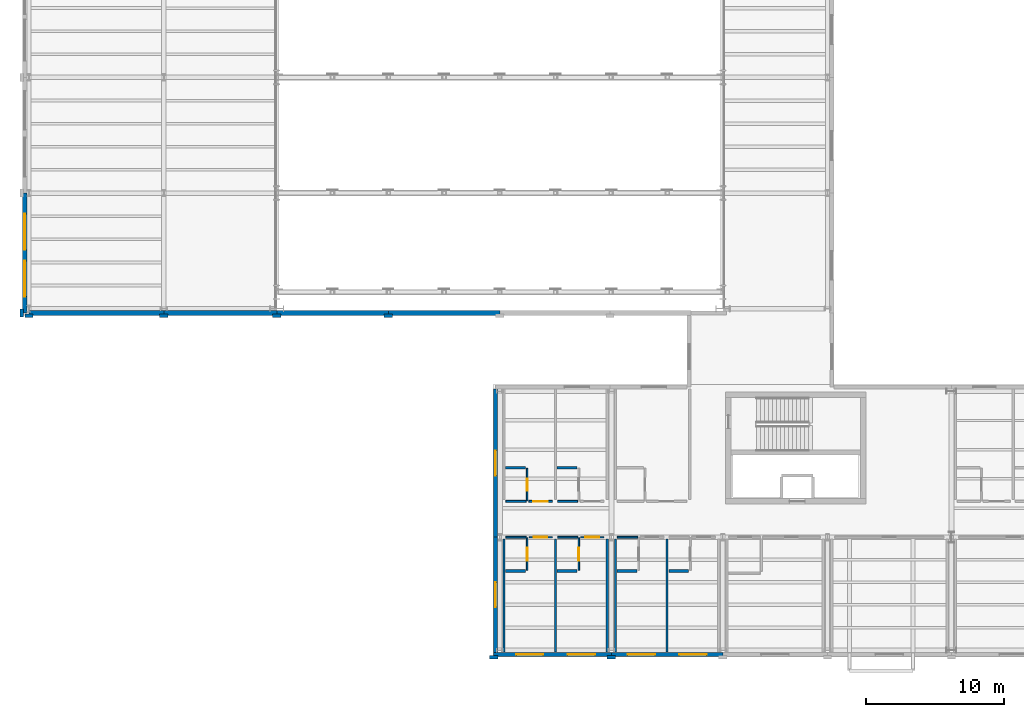
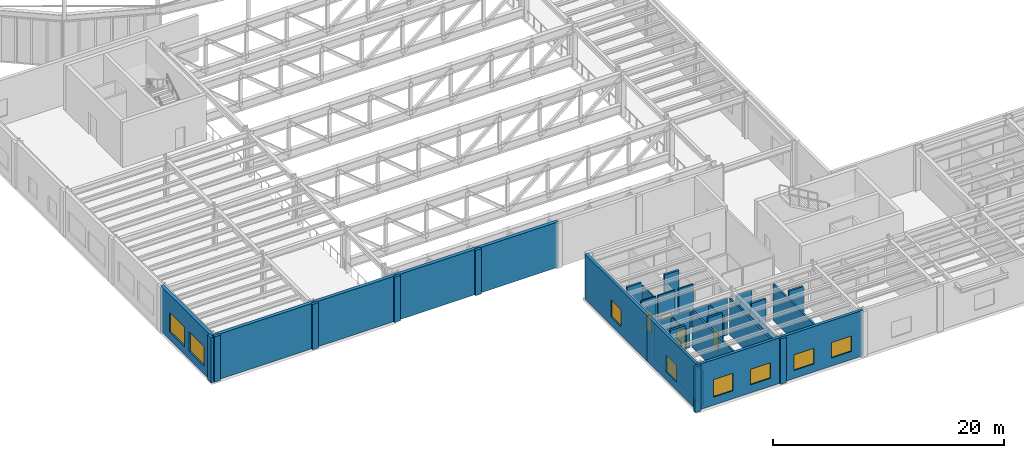
# One storey, part 65 of 91: 38 walls, 8 windows, 6 doors, 14 openings.
"""IFC4 building model written with IfcOpenShell, lengths in metres."""

from ifc_helpers import new_model, si_unit, direction, frame, frame_2d, origin, place, context, subcontext, project, spatial, rectangle, extrude, material, layer, layer_set, type_object, element, fill, save


model = new_model("IFC4")

# Units and contexts
model_context = context("Model", 3, precision=1e-05, world=origin(), true_north=direction((0.0, 1.0)))
body_context = subcontext(model_context, "Body", "Model", "MODEL_VIEW")
ifc_project = project(units=[si_unit("LENGTHUNIT", "METRE"), si_unit("AREAUNIT", "SQUARE_METRE"), si_unit("VOLUMEUNIT", "CUBIC_METRE"), si_unit("PLANEANGLEUNIT", "RADIAN"), si_unit("MASSUNIT", "GRAM", prefix="KILO")], contexts=[model_context])

# Site, building, storey
site_placement = place(None, origin())
site = spatial("IfcSite", under=ifc_project, at=site_placement, CompositionType="ELEMENT")
building_placement = place(site_placement, origin())
building = spatial("IfcBuilding", under=site, at=building_placement, Name="Sollismere Congress Hotel", CompositionType="ELEMENT")
storey_placement = place(building_placement, frame((0.0, 0.0, 10.800048828125)))
storey = spatial("IfcBuildingStorey", under=building, at=storey_placement, Name="L02", CompositionType="ELEMENT", Elevation=10.800048828125)

# Wall, openings, windows
ifc_material_1 = material(Name="Colorado Buff Sandstone Rainscreen on Insulated Backup", Category="masonry")
ifc_layer_1 = layer(ifc_material_1, 0.284912109375, Name="Colorado Buff Sandstone Rainscreen on Insulated Backup")
ifc_layer_set_1 = layer_set([ifc_layer_1], Name="Colorado Buff Sandstone Rainscreen on Insulated Backup")
wall_type_1 = type_object("IfcWallType", Name="WL-EXT285", PredefinedType="STANDARD", material=ifc_layer_set_1)
wall_1_placement = place(storey_placement, frame((33.75, -0.31005859375, 0.0), z_axis=(0.0, 0.0, 1.0), x_axis=(1.0, 0.0, 0.0)))
wall_1 = element("IfcWall", 1, at=wall_1_placement, inside=storey, type_object=wall_type_1, Name="Exterior wall EW-L02-326", PredefinedType="STANDARD", context=body_context, shape_type="SweptSolid", body=[
    extrude(rectangle(XDim=8.550048828125, YDim=0.284912109375, at=frame_2d((4.27490234375, 0.0))), origin(), (0.0, 0.0, 1.0), 4.800048828125),
])
opening_1_placement = place(wall_1_placement, frame((1.64990234375, 0.0, 0.85009765625)))
opening_1 = element("IfcOpeningElement", 2, at=opening_1_placement, cuts=wall_1, Name="Opening W-L02-262", PredefinedType="OPENING", context=body_context, shape_type="SweptSolid", body=[
    extrude(rectangle(XDim=1.949951171875, YDim=1.85009765625, at=frame_2d((0.97509765625, 0.925048828125))), frame((0.0, 0.15234375, 0.0), z_axis=(0.0, -1.0, 0.0), x_axis=(1.0, 0.0, 0.0)), (0.0, 0.0, 1.0), 0.304931640625),
])
opening_2_placement = place(wall_1_placement, frame((5.375, 0.0, 0.85009765625)))
opening_2 = element("IfcOpeningElement", 3, at=opening_2_placement, cuts=wall_1, Name="Opening W-L02-263", PredefinedType="OPENING", context=body_context, shape_type="SweptSolid", body=[
    extrude(rectangle(XDim=2.0, YDim=1.64990234375, at=frame_2d((1.0, 0.824951171875))), frame((0.0, 0.15234375, 0.0), z_axis=(0.0, -1.0, 0.0), x_axis=(1.0, 0.0, 0.0)), (0.0, 0.0, 1.0), 0.304931640625),
])
ifc_material_2 = material(Name="Thermally Broken Bronze Aluminum & Low-E Glass", Category="aluminium")
window_type_1 = type_object("IfcWindowType", Name="WN-P195x185", PartitioningType="SINGLE_PANEL", PredefinedType="WINDOW", material=ifc_material_2)
window_1_placement = place(opening_1_placement, origin())
window_1 = element("IfcWindow", 4, at=window_1_placement, inside=storey, type_object=window_type_1, Name="WIN-W-L02-262", OverallHeight=1.85009765625, OverallWidth=1.949951171875, PartitioningType="SINGLE_PANEL", PredefinedType="WINDOW", context=body_context, shape_type="SweptSolid", body=[
    extrude(rectangle(XDim=1.949951171875, YDim=1.85009765625, at=frame_2d((0.97509765625, 0.925048828125))), frame((0.0, 0.030029296875, 0.0), z_axis=(0.0, -1.0, 0.0), x_axis=(1.0, 0.0, 0.0)), (0.0, 0.0, 1.0), 0.06005859375),
])
fill(opening_1, window_1)
window_type_2 = type_object("IfcWindowType", Name="WN-P200x165", PartitioningType="SINGLE_PANEL", PredefinedType="WINDOW", material=ifc_material_2)
window_2_placement = place(opening_2_placement, origin())
window_2 = element("IfcWindow", 5, at=window_2_placement, inside=storey, type_object=window_type_2, Name="WIN-W-L02-263", OverallHeight=1.64990234375, OverallWidth=2.0, PartitioningType="SINGLE_PANEL", PredefinedType="WINDOW", context=body_context, shape_type="SweptSolid", body=[
    extrude(rectangle(XDim=2.0, YDim=1.64990234375, at=frame_2d((1.0, 0.824951171875))), frame((0.0, 0.030029296875, 0.0), z_axis=(0.0, -1.0, 0.0), x_axis=(1.0, 0.0, 0.0)), (0.0, 0.0, 1.0), 0.06005859375),
])
fill(opening_2, window_2)

wall_2_placement = place(storey_placement, frame((42.300048828125, -0.31005859375, 0.0), z_axis=(0.0, 0.0, 1.0), x_axis=(1.0, 0.0, 0.0)))
wall_2 = element("IfcWall", 6, at=wall_2_placement, inside=storey, type_object=wall_type_1, Name="Exterior wall EW-L02-328", PredefinedType="STANDARD", context=body_context, shape_type="SweptSolid", body=[
    extrude(rectangle(XDim=8.099853515625, YDim=0.284912109375, at=frame_2d((4.0498046875, 0.0))), origin(), (0.0, 0.0, 1.0), 4.800048828125),
])
opening_3_placement = place(wall_2_placement, frame((1.175048828125, 0.0, 0.85009765625)))
opening_3 = element("IfcOpeningElement", 7, at=opening_3_placement, cuts=wall_2, Name="Opening W-L02-264", PredefinedType="OPENING", context=body_context, shape_type="SweptSolid", body=[
    extrude(rectangle(XDim=2.0, YDim=1.64990234375, at=frame_2d((1.0, 0.824951171875))), frame((0.0, 0.15234375, 0.0), z_axis=(0.0, -1.0, 0.0), x_axis=(1.0, 0.0, 0.0)), (0.0, 0.0, 1.0), 0.304931640625),
])
opening_4_placement = place(wall_2_placement, frame((4.925048828125, 0.0, 0.85009765625)))
opening_4 = element("IfcOpeningElement", 8, at=opening_4_placement, cuts=wall_2, Name="Opening W-L02-265", PredefinedType="OPENING", context=body_context, shape_type="SweptSolid", body=[
    extrude(rectangle(XDim=2.0, YDim=1.64990234375, at=frame_2d((1.0, 0.824951171875))), frame((0.0, 0.15234375, 0.0), z_axis=(0.0, -1.0, 0.0), x_axis=(1.0, 0.0, 0.0)), (0.0, 0.0, 1.0), 0.304931640625),
])
window_3_placement = place(opening_3_placement, origin())
window_3 = element("IfcWindow", 9, at=window_3_placement, inside=storey, type_object=window_type_2, Name="WIN-W-L02-264", OverallHeight=1.64990234375, OverallWidth=2.0, PartitioningType="SINGLE_PANEL", PredefinedType="WINDOW", context=body_context, shape_type="SweptSolid", body=[
    extrude(rectangle(XDim=2.0, YDim=1.64990234375, at=frame_2d((1.0, 0.824951171875))), frame((0.0, 0.030029296875, 0.0), z_axis=(0.0, -1.0, 0.0), x_axis=(1.0, 0.0, 0.0)), (0.0, 0.0, 1.0), 0.06005859375),
])
fill(opening_3, window_3)
window_4_placement = place(opening_4_placement, origin())
window_4 = element("IfcWindow", 10, at=window_4_placement, inside=storey, type_object=window_type_2, Name="WIN-W-L02-265", OverallHeight=1.64990234375, OverallWidth=2.0, PartitioningType="SINGLE_PANEL", PredefinedType="WINDOW", context=body_context, shape_type="SweptSolid", body=[
    extrude(rectangle(XDim=2.0, YDim=1.64990234375, at=frame_2d((1.0, 0.824951171875))), frame((0.0, 0.030029296875, 0.0), z_axis=(0.0, -1.0, 0.0), x_axis=(1.0, 0.0, 0.0)), (0.0, 0.0, 1.0), 0.06005859375),
])
fill(opening_4, window_4)

# Wall, opening, window
wall_3_placement = place(storey_placement, frame((33.889892578125, 8.199951171875, 0.0), z_axis=(0.0, 0.0, 1.0), x_axis=(0.0, -1.0, 0.0)))
wall_3 = element("IfcWall", 11, at=wall_3_placement, inside=storey, type_object=wall_type_1, Name="Exterior wall EW-L02-387", PredefinedType="STANDARD", context=body_context, shape_type="SweptSolid", body=[
    extrude(rectangle(XDim=8.365478515625, YDim=0.284912109375, at=frame_2d((4.1826171875, 0.0))), origin(), (0.0, 0.0, 1.0), 4.800048828125),
])
opening_5_placement = place(wall_3_placement, frame((3.28271484375, 0.0, 0.8798828125)))
opening_5 = element("IfcOpeningElement", 12, at=opening_5_placement, cuts=wall_3, Name="Opening W-L02-305", PredefinedType="OPENING", context=body_context, shape_type="SweptSolid", body=[
    extrude(rectangle(XDim=1.800048828125, YDim=1.800048828125, at=frame_2d((0.89990234375, 0.89990234375))), frame((0.0, 0.15234375, 0.0), z_axis=(0.0, -1.0, 0.0), x_axis=(1.0, 0.0, 0.0)), (0.0, 0.0, 1.0), 0.304931640625),
])
window_type_3 = type_object("IfcWindowType", Name="WN-P180x180", PartitioningType="SINGLE_PANEL", PredefinedType="WINDOW", material=ifc_material_2)
window_5_placement = place(opening_5_placement, origin())
window_5 = element("IfcWindow", 13, at=window_5_placement, inside=storey, type_object=window_type_3, Name="WIN-W-L02-305", OverallHeight=1.800048828125, OverallWidth=1.800048828125, PartitioningType="SINGLE_PANEL", PredefinedType="WINDOW", context=body_context, shape_type="SweptSolid", body=[
    extrude(rectangle(XDim=1.800048828125, YDim=1.800048828125, at=frame_2d((0.89990234375, 0.89990234375))), frame((0.0, 0.030029296875, 0.0), z_axis=(0.0, -1.0, 0.0), x_axis=(1.0, 0.0, 0.0)), (0.0, 0.0, 1.0), 0.06005859375),
])
fill(opening_5, window_5)

wall_4_placement = place(storey_placement, frame((33.889892578125, 18.965576171875, 0.0), z_axis=(0.0, 0.0, 1.0), x_axis=(0.0, -1.0, 0.0)))
wall_4 = element("IfcWall", 14, at=wall_4_placement, inside=storey, type_object=wall_type_1, Name="Exterior wall EW-L02-388", PredefinedType="STANDARD", context=body_context, shape_type="SweptSolid", body=[
    extrude(rectangle(XDim=10.765625, YDim=0.284912109375, at=frame_2d((5.3828125, 0.0))), origin(), (0.0, 0.0, 1.0), 4.800048828125),
])
opening_6_placement = place(wall_4_placement, frame((4.482666015625, 0.0, 0.8798828125)))
opening_6 = element("IfcOpeningElement", 15, at=opening_6_placement, cuts=wall_4, Name="Opening W-L02-306", PredefinedType="OPENING", context=body_context, shape_type="SweptSolid", body=[
    extrude(rectangle(XDim=1.800048828125, YDim=1.800048828125, at=frame_2d((0.89990234375, 0.89990234375))), frame((0.0, 0.15234375, 0.0), z_axis=(0.0, -1.0, 0.0), x_axis=(1.0, 0.0, 0.0)), (0.0, 0.0, 1.0), 0.304931640625),
])
window_6_placement = place(opening_6_placement, origin())
window_6 = element("IfcWindow", 16, at=window_6_placement, inside=storey, type_object=window_type_3, Name="WIN-W-L02-306", OverallHeight=1.800048828125, OverallWidth=1.800048828125, PartitioningType="SINGLE_PANEL", PredefinedType="WINDOW", context=body_context, shape_type="SweptSolid", body=[
    extrude(rectangle(XDim=1.800048828125, YDim=1.800048828125, at=frame_2d((0.89990234375, 0.89990234375))), frame((0.0, 0.030029296875, 0.0), z_axis=(0.0, -1.0, 0.0), x_axis=(1.0, 0.0, 0.0)), (0.0, 0.0, 1.0), 0.06005859375),
])
fill(opening_6, window_6)

# Wall, openings, windows
ifc_material_3 = material(Name="Colorado Buff Sandstone and Limestone Backup C40/50", Category="masonry")
ifc_layer_2 = layer(ifc_material_3, 0.340087890625, Name="Colorado Buff Sandstone and Limestone Backup C40/50")
ifc_layer_set_2 = layer_set([ifc_layer_2], Name="Colorado Buff Sandstone and Limestone Backup C40/50")
wall_type_2 = type_object("IfcWallType", Name="WL-EXT340", PredefinedType="STANDARD", material=ifc_layer_set_2)
wall_5_placement = place(storey_placement, frame((-0.31005859375, 24.47998046875, 0.0), z_axis=(0.0, 0.0, 1.0), x_axis=(0.0, 1.0, 0.0)))
wall_5 = element("IfcWall", 17, at=wall_5_placement, inside=storey, type_object=wall_type_2, Name="Exterior wall EW-L02-145", PredefinedType="STANDARD", context=body_context, shape_type="SweptSolid", body=[
    extrude(rectangle(XDim=8.719970703125, YDim=0.340087890625, at=frame_2d((4.35986328125, 0.0))), origin(), (0.0, 0.0, 1.0), 4.800048828125),
])
opening_7_placement = place(wall_5_placement, frame((1.199951171875, 0.0, 0.85009765625)))
opening_7 = element("IfcOpeningElement", 18, at=opening_7_placement, cuts=wall_5, Name="Opening W-L02-128", PredefinedType="OPENING", context=body_context, shape_type="SweptSolid", body=[
    extrude(rectangle(XDim=2.60009765625, YDim=2.050048828125, at=frame_2d((1.300048828125, 1.02490234375))), frame((0.0, 0.179931640625, 0.0), z_axis=(0.0, -1.0, 0.0), x_axis=(1.0, 0.0, 0.0)), (0.0, 0.0, 1.0), 0.360107421875),
])
opening_8_placement = place(wall_5_placement, frame((4.60009765625, 0.0, 0.85009765625)))
opening_8 = element("IfcOpeningElement", 19, at=opening_8_placement, cuts=wall_5, Name="Opening W-L02-129", PredefinedType="OPENING", context=body_context, shape_type="SweptSolid", body=[
    extrude(rectangle(XDim=2.60009765625, YDim=2.050048828125, at=frame_2d((1.300048828125, 1.02490234375))), frame((0.0, 0.179931640625, 0.0), z_axis=(0.0, -1.0, 0.0), x_axis=(1.0, 0.0, 0.0)), (0.0, 0.0, 1.0), 0.360107421875),
])
window_type_4 = type_object("IfcWindowType", Name="WN-P260x205", PartitioningType="SINGLE_PANEL", PredefinedType="WINDOW", material=ifc_material_2)
window_7_placement = place(opening_7_placement, origin())
window_7 = element("IfcWindow", 20, at=window_7_placement, inside=storey, type_object=window_type_4, Name="WIN-W-L02-128", OverallHeight=2.050048828125, OverallWidth=2.60009765625, PartitioningType="SINGLE_PANEL", PredefinedType="WINDOW", context=body_context, shape_type="SweptSolid", body=[
    extrude(rectangle(XDim=2.60009765625, YDim=2.050048828125, at=frame_2d((1.300048828125, 1.02490234375))), frame((0.0, 0.030029296875, 0.0), z_axis=(0.0, -1.0, 0.0), x_axis=(1.0, 0.0, 0.0)), (0.0, 0.0, 1.0), 0.06005859375),
])
fill(opening_7, window_7)
window_8_placement = place(opening_8_placement, origin())
window_8 = element("IfcWindow", 21, at=window_8_placement, inside=storey, type_object=window_type_4, Name="WIN-W-L02-129", OverallHeight=2.050048828125, OverallWidth=2.60009765625, PartitioningType="SINGLE_PANEL", PredefinedType="WINDOW", context=body_context, shape_type="SweptSolid", body=[
    extrude(rectangle(XDim=2.60009765625, YDim=2.050048828125, at=frame_2d((1.300048828125, 1.02490234375))), frame((0.0, 0.030029296875, 0.0), z_axis=(0.0, -1.0, 0.0), x_axis=(1.0, 0.0, 0.0)), (0.0, 0.0, 1.0), 0.06005859375),
])
fill(opening_8, window_8)

# Walls
wall_6_placement = place(storey_placement, frame((0.0, 24.489990234375, 0.0), z_axis=(0.0, 0.0, 1.0), x_axis=(1.0, 0.0, 0.0)))
element("IfcWall", 22, at=wall_6_placement, inside=storey, type_object=wall_type_2, Name="Exterior wall EW-L02-155", PredefinedType="STANDARD", context=body_context, shape_type="SweptSolid", body=[
    extrude(rectangle(XDim=9.800048828125, YDim=0.340087890625, at=frame_2d((4.89990234375, 0.0))), origin(), (0.0, 0.0, 1.0), 4.800048828125),
])
wall_7_placement = place(storey_placement, frame((9.800048828125, 24.489990234375, 0.0), z_axis=(0.0, 0.0, 1.0), x_axis=(1.0, 0.0, 0.0)))
element("IfcWall", 23, at=wall_7_placement, inside=storey, type_object=wall_type_2, Name="Exterior wall EW-L02-157", PredefinedType="STANDARD", context=body_context, shape_type="SweptSolid", body=[
    extrude(rectangle(XDim=8.199951171875, YDim=0.340087890625, at=frame_2d((4.10009765625, 0.0))), origin(), (0.0, 0.0, 1.0), 4.800048828125),
])
wall_8_placement = place(storey_placement, frame((18.0, 24.489990234375, 0.0), z_axis=(0.0, 0.0, 1.0), x_axis=(1.0, 0.0, 0.0)))
element("IfcWall", 24, at=wall_8_placement, inside=storey, type_object=wall_type_2, Name="Exterior wall EW-L02-159", PredefinedType="STANDARD", context=body_context, shape_type="SweptSolid", body=[
    extrude(rectangle(XDim=8.10009765625, YDim=0.340087890625, at=frame_2d((4.050048828125, 0.0))), origin(), (0.0, 0.0, 1.0), 4.800048828125),
])
wall_9_placement = place(storey_placement, frame((26.10009765625, 24.489990234375, 0.0), z_axis=(0.0, 0.0, 1.0), x_axis=(1.0, 0.0, 0.0)))
element("IfcWall", 25, at=wall_9_placement, inside=storey, type_object=wall_type_2, Name="Exterior wall EW-L02-161", PredefinedType="STANDARD", context=body_context, shape_type="SweptSolid", body=[
    extrude(rectangle(XDim=8.099853515625, YDim=0.340087890625, at=frame_2d((4.0498046875, 0.0))), origin(), (0.0, 0.0, 1.0), 4.800048828125),
])
ifc_material_4 = material(Name="Carved Travertine Pilaster & Frieze Assembly", Category="masonry")
ifc_layer_3 = layer(ifc_material_4, 0.260009765625, Name="Carved Travertine Pilaster & Frieze Assembly")
ifc_layer_set_3 = layer_set([ifc_layer_3], Name="Carved Travertine Pilaster & Frieze Assembly")
wall_type_3 = type_object("IfcWallType", Name="WL-PIL280", PredefinedType="ELEMENTEDWALL", material=ifc_layer_set_3)
for number, where, z_axis, x_axis, name in (
    (26, (-0.52001953125, 24.179931640625, 0.0), (0.0, 0.0, 1.0), (0.0, 1.0, 0.0), "Exterior wall EW-L02-146"),
    (27, (-0.300048828125, 24.280029296875, 0.0), (0.0, 0.0, 1.0), (1.0, 0.0, 0.0), "Exterior wall EW-L02-156"),
    (28, (9.5, 24.280029296875, 0.0), (0.0, 0.0, 1.0), (1.0, 0.0, 0.0), "Exterior wall EW-L02-158"),
    (29, (17.699951171875, 24.280029296875, 0.0), (0.0, 0.0, 1.0), (1.0, 0.0, 0.0), "Exterior wall EW-L02-160"),
):
    element("IfcWall", number, at=place(storey_placement, frame(where, z_axis=z_axis, x_axis=x_axis)), inside=storey, type_object=wall_type_3, Name=name, PredefinedType="ELEMENTEDWALL", context=body_context, shape_type="SweptSolid", body=[
        extrude(rectangle(XDim=0.60009765625, YDim=0.260009765625, at=frame_2d((0.300048828125, 0.0))), origin(), (0.0, 0.0, 1.0), 4.800048828125),
    ])
wall_10_placement = place(storey_placement, frame((25.800048828125, 24.280029296875, 0.0), z_axis=(0.0, 0.0, 1.0), x_axis=(1.0, 0.0, 0.0)))
element("IfcWall", 30, at=wall_10_placement, inside=storey, type_object=wall_type_3, Name="Exterior wall EW-L02-162", PredefinedType="ELEMENTEDWALL", context=body_context, shape_type="SweptSolid", body=[
    extrude(rectangle(XDim=0.599853515625, YDim=0.260009765625, at=frame_2d((0.2998046875, 0.0))), origin(), (0.0, 0.0, 1.0), 4.800048828125),
])
for number, where, z_axis, x_axis, name in (
    (31, (33.449951171875, -0.52001953125, 0.0), (0.0, 0.0, 1.0), (1.0, 0.0, 0.0), "Exterior wall EW-L02-327"),
    (32, (42.0, -0.52001953125, 0.0), (0.0, 0.0, 1.0), (1.0, 0.0, 0.0), "Exterior wall EW-L02-329"),
):
    element("IfcWall", number, at=place(storey_placement, frame(where, z_axis=z_axis, x_axis=x_axis)), inside=storey, type_object=wall_type_3, Name=name, PredefinedType="ELEMENTEDWALL", context=body_context, shape_type="SweptSolid", body=[
        extrude(rectangle(XDim=0.60009765625, YDim=0.260009765625, at=frame_2d((0.300048828125, 0.0))), origin(), (0.0, 0.0, 1.0), 4.800048828125),
    ])
ifc_material_5 = material(Name="Moisture-Resistant Shaft Gypsum Assembly")
ifc_layer_4 = layer(ifc_material_5, 0.199951171875, Name="Moisture-Resistant Shaft Gypsum Assembly")
ifc_layer_set_4 = layer_set([ifc_layer_4], Name="Moisture-Resistant Shaft Gypsum Assembly")
wall_type_4 = type_object("IfcWallType", Name="WL-PLM200", PredefinedType="PLUMBINGWALL", material=ifc_layer_set_4)
for number, where, z_axis, x_axis, name in (
    (33, (34.6201171875, 5.75, 0.0), (0.0, 0.0, 1.0), (1.0, 0.0, 0.0), "Interior wall IW-L02-0976"),
    (34, (38.3701171875, 5.75, 0.0), (0.0, 0.0, 1.0), (1.0, 0.0, 0.0), "Interior wall IW-L02-0981"),
    (35, (34.6201171875, 13.25, 0.0), (0.0, 0.0, 1.0), (1.0, 0.0, 0.0), "Interior wall IW-L02-0987"),
    (36, (38.3701171875, 13.25, 0.0), (0.0, 0.0, 1.0), (1.0, 0.0, 0.0), "Interior wall IW-L02-0992"),
    (37, (42.719970703125, 5.75, 0.0), (0.0, 0.0, 1.0), (1.0, 0.0, 0.0), "Interior wall IW-L02-0998"),
    (38, (46.469970703125, 5.75, 0.0), (0.0, 0.0, 1.0), (1.0, 0.0, 0.0), "Interior wall IW-L02-1003"),
):
    element("IfcWall", number, at=place(storey_placement, frame(where, z_axis=z_axis, x_axis=x_axis)), inside=storey, type_object=wall_type_4, Name=name, PredefinedType="PLUMBINGWALL", context=body_context, shape_type="SweptSolid", body=[
        extrude(rectangle(XDim=1.447998046875, YDim=0.199951171875, at=frame_2d((0.72412109375, 0.0))), origin(), (0.0, 0.0, 1.0), 4.474853515625),
    ])

# Wall, opening, door
ifc_material_6 = material(Name="Moisture-Resistant Gypsum Partition")
ifc_layer_5 = layer(ifc_material_6, 0.10009765625, Name="Moisture-Resistant Gypsum Partition")
ifc_layer_set_5 = layer_set([ifc_layer_5], Name="Moisture-Resistant Gypsum Partition")
wall_type_5 = type_object("IfcWallType", Name="WL-PRT100", PredefinedType="PARTITIONING", material=ifc_layer_set_5)
wall_11_placement = place(storey_placement, frame((36.18798828125, 5.7900390625, 0.0), z_axis=(0.0, 0.0, 1.0), x_axis=(0.0, 1.0, 0.0)))
wall_11 = element("IfcWall", 39, at=wall_11_placement, inside=storey, type_object=wall_type_5, Name="Interior wall IW-L02-0975", PredefinedType="PARTITIONING", context=body_context, shape_type="SweptSolid", body=[
    extrude(rectangle(XDim=2.369873046875, YDim=0.10009765625, at=frame_2d((1.18505859375, 0.0))), origin(), (0.0, 0.0, 1.0), 3.887939453125),
])
opening_9_placement = place(wall_11_placement, frame((0.719970703125, 0.0, 0.0)))
opening_9 = element("IfcOpeningElement", 40, at=opening_9_placement, cuts=wall_11, Name="Opening D-L02-0344", PredefinedType="OPENING", context=body_context, shape_type="SweptSolid", body=[
    extrude(rectangle(XDim=0.929931640625, YDim=2.139892578125, at=frame_2d((0.46484375, 1.06982421875))), frame((0.0, 0.06005859375, 0.0), z_axis=(0.0, -1.0, 0.0), x_axis=(1.0, 0.0, 0.0)), (0.0, 0.0, 1.0), 0.1201171875),
])
ifc_material_7 = material(Name="Moisture-Sealed Timber Bathroom Door", Category="wood")
door_type_1 = type_object("IfcDoorType", Name="DR-BT03", OperationType="NOTDEFINED", PredefinedType="DOOR", material=ifc_material_7)
door_1_placement = place(opening_9_placement, origin())
door_1 = element("IfcDoor", 41, at=door_1_placement, inside=storey, type_object=door_type_1, Name="En-suite bathroom door D-L02-0344", OperationType="SINGLE_SWING_LEFT", OverallHeight=2.139892578125, OverallWidth=0.929931640625, PredefinedType="DOOR", context=body_context, shape_type="SweptSolid", body=[
    extrude(rectangle(XDim=0.929931640625, YDim=2.139892578125, at=frame_2d((0.46484375, 1.06982421875))), frame((0.0, 0.02490234375, 0.0), z_axis=(0.0, -1.0, 0.0), x_axis=(1.0, 0.0, 0.0)), (0.0, 0.0, 1.0), 0.050048828125),
])
fill(opening_9, door_1)

wall_12_placement = place(storey_placement, frame((39.93798828125, 5.7900390625, 0.0), z_axis=(0.0, 0.0, 1.0), x_axis=(0.0, 1.0, 0.0)))
wall_12 = element("IfcWall", 42, at=wall_12_placement, inside=storey, type_object=wall_type_5, Name="Interior wall IW-L02-0980", PredefinedType="PARTITIONING", context=body_context, shape_type="SweptSolid", body=[
    extrude(rectangle(XDim=2.369873046875, YDim=0.10009765625, at=frame_2d((1.18505859375, 0.0))), origin(), (0.0, 0.0, 1.0), 3.887939453125),
])
opening_10_placement = place(wall_12_placement, frame((0.7080078125, 0.0, 0.0)))
opening_10 = element("IfcOpeningElement", 43, at=opening_10_placement, cuts=wall_12, Name="Opening D-L02-0346", PredefinedType="OPENING", context=body_context, shape_type="SweptSolid", body=[
    extrude(rectangle(XDim=0.955078125, YDim=2.139892578125, at=frame_2d((0.4775390625, 1.06982421875))), frame((0.0, 0.06005859375, 0.0), z_axis=(0.0, -1.0, 0.0), x_axis=(1.0, 0.0, 0.0)), (0.0, 0.0, 1.0), 0.1201171875),
])
door_type_2 = type_object("IfcDoorType", Name="DR-BT04", OperationType="NOTDEFINED", PredefinedType="DOOR", material=ifc_material_7)
door_2_placement = place(opening_10_placement, origin())
door_2 = element("IfcDoor", 44, at=door_2_placement, inside=storey, type_object=door_type_2, Name="En-suite bathroom door D-L02-0346", OperationType="SINGLE_SWING_LEFT", OverallHeight=2.139892578125, OverallWidth=0.955078125, PredefinedType="DOOR", context=body_context, shape_type="SweptSolid", body=[
    extrude(rectangle(XDim=0.955078125, YDim=2.139892578125, at=frame_2d((0.4775390625, 1.06982421875))), frame((0.0, 0.02490234375, 0.0), z_axis=(0.0, -1.0, 0.0), x_axis=(1.0, 0.0, 0.0)), (0.0, 0.0, 1.0), 0.050048828125),
])
fill(opening_10, door_2)

wall_13_placement = place(storey_placement, frame((36.18798828125, 10.840087890625, 0.0), z_axis=(0.0, 0.0, 1.0), x_axis=(0.0, 1.0, 0.0)))
wall_13 = element("IfcWall", 45, at=wall_13_placement, inside=storey, type_object=wall_type_5, Name="Interior wall IW-L02-0986", PredefinedType="PARTITIONING", context=body_context, shape_type="SweptSolid", body=[
    extrude(rectangle(XDim=2.369873046875, YDim=0.10009765625, at=frame_2d((1.18505859375, 0.0))), origin(), (0.0, 0.0, 1.0), 4.14404296875),
])
opening_11_placement = place(wall_13_placement, frame((0.7451171875, 0.0, 0.0)))
opening_11 = element("IfcOpeningElement", 46, at=opening_11_placement, cuts=wall_13, Name="Opening D-L02-0348", PredefinedType="OPENING", context=body_context, shape_type="SweptSolid", body=[
    extrude(rectangle(XDim=0.8798828125, YDim=2.179931640625, at=frame_2d((0.43994140625, 1.08984375))), frame((0.0, 0.06005859375, 0.0), z_axis=(0.0, -1.0, 0.0), x_axis=(1.0, 0.0, 0.0)), (0.0, 0.0, 1.0), 0.1201171875),
])
door_type_3 = type_object("IfcDoorType", Name="DR-BT05", OperationType="NOTDEFINED", PredefinedType="DOOR", material=ifc_material_7)
door_3_placement = place(opening_11_placement, origin())
door_3 = element("IfcDoor", 47, at=door_3_placement, inside=storey, type_object=door_type_3, Name="En-suite bathroom door D-L02-0348", OperationType="SINGLE_SWING_LEFT", OverallHeight=2.179931640625, OverallWidth=0.8798828125, PredefinedType="DOOR", context=body_context, shape_type="SweptSolid", body=[
    extrude(rectangle(XDim=0.8798828125, YDim=2.179931640625, at=frame_2d((0.43994140625, 1.08984375))), frame((0.0, 0.02490234375, 0.0), z_axis=(0.0, -1.0, 0.0), x_axis=(1.0, 0.0, 0.0)), (0.0, 0.0, 1.0), 0.050048828125),
])
fill(opening_11, door_3)

# Wall
ifc_material_8 = material(Name="Fire-Rated Gypsum Partition")
ifc_layer_6 = layer(ifc_material_8, 0.139892578125, Name="Fire-Rated Gypsum Partition")
ifc_layer_set_6 = layer_set([ifc_layer_6], Name="Fire-Rated Gypsum Partition")
wall_type_6 = type_object("IfcWallType", Name="WL-PRT140R", PredefinedType="PARTITIONING", material=ifc_layer_set_6)
wall_14_placement = place(storey_placement, frame((34.639892578125, 8.199951171875, 0.0), z_axis=(0.0, 0.0, 1.0), x_axis=(1.0, 0.0, 0.0)))
element("IfcWall", 48, at=wall_14_placement, inside=storey, type_object=wall_type_6, Name="Interior wall IW-L02-0971", PredefinedType="PARTITIONING", context=body_context, shape_type="SweptSolid", body=[
    extrude(rectangle(XDim=1.468017578125, YDim=0.139892578125, at=frame_2d((0.73388671875, 0.0))), origin(), (0.0, 0.0, 1.0), 3.887939453125),
])

# Wall, opening, door
wall_15_placement = place(storey_placement, frame((36.30810546875, 8.199951171875, 0.0), z_axis=(0.0, 0.0, 1.0), x_axis=(1.0, 0.0, 0.0)))
wall_15 = element("IfcWall", 49, at=wall_15_placement, inside=storey, type_object=wall_type_6, Name="Interior wall IW-L02-0972", PredefinedType="PARTITIONING", context=body_context, shape_type="SweptSolid", body=[
    extrude(rectangle(XDim=1.701904296875, YDim=0.139892578125, at=frame_2d((0.85107421875, 0.0))), origin(), (0.0, 0.0, 1.0), 3.887939453125),
])
opening_12_placement = place(wall_15_placement, frame((0.361083984375, 0.0, 0.0)))
opening_12 = element("IfcOpeningElement", 50, at=opening_12_placement, cuts=wall_15, Name="Opening D-L02-0343", PredefinedType="OPENING", context=body_context, shape_type="SweptSolid", body=[
    extrude(rectangle(XDim=0.97998046875, YDim=2.199951171875, at=frame_2d((0.489990234375, 1.10009765625))), frame((0.0, 0.079833984375, 0.0), z_axis=(0.0, -1.0, 0.0), x_axis=(1.0, 0.0, 0.0)), (0.0, 0.0, 1.0), 0.159912109375),
])
ifc_material_9 = material(Name="Solid-Core Acoustic Walnut Guestroom Entry Door")
door_type_4 = type_object("IfcDoorType", Name="DR-KY03", OperationType="NOTDEFINED", PredefinedType="DOOR", material=ifc_material_9)
door_4_placement = place(opening_12_placement, origin())
door_4 = element("IfcDoor", 51, at=door_4_placement, inside=storey, type_object=door_type_4, Name="Hotel room entry door D-L02-0343", OperationType="SINGLE_SWING_RIGHT", OverallHeight=2.199951171875, OverallWidth=0.97998046875, PredefinedType="DOOR", context=body_context, shape_type="SweptSolid", body=[
    extrude(rectangle(XDim=0.97998046875, YDim=2.199951171875, at=frame_2d((0.489990234375, 1.10009765625))), frame((0.0, 0.02490234375, 0.0), z_axis=(0.0, -1.0, 0.0), x_axis=(1.0, 0.0, 0.0)), (0.0, 0.0, 1.0), 0.050048828125),
])
fill(opening_12, door_4)

# Wall
wall_16_placement = place(storey_placement, frame((38.389892578125, 8.199951171875, 0.0), z_axis=(0.0, 0.0, 1.0), x_axis=(1.0, 0.0, 0.0)))
element("IfcWall", 52, at=wall_16_placement, inside=storey, type_object=wall_type_6, Name="Interior wall IW-L02-0977", PredefinedType="PARTITIONING", context=body_context, shape_type="SweptSolid", body=[
    extrude(rectangle(XDim=1.468017578125, YDim=0.139892578125, at=frame_2d((0.73388671875, 0.0))), origin(), (0.0, 0.0, 1.0), 3.887939453125),
])

# Wall, opening, door
wall_17_placement = place(storey_placement, frame((40.05810546875, 8.199951171875, 0.0), z_axis=(0.0, 0.0, 1.0), x_axis=(1.0, 0.0, 0.0)))
wall_17 = element("IfcWall", 53, at=wall_17_placement, inside=storey, type_object=wall_type_6, Name="Interior wall IW-L02-0978", PredefinedType="PARTITIONING", context=body_context, shape_type="SweptSolid", body=[
    extrude(rectangle(XDim=1.701904296875, YDim=0.139892578125, at=frame_2d((0.85107421875, 0.0))), origin(), (0.0, 0.0, 1.0), 3.887939453125),
])
opening_13_placement = place(wall_17_placement, frame((0.345947265625, 0.0, 0.0)))
opening_13 = element("IfcOpeningElement", 54, at=opening_13_placement, cuts=wall_17, Name="Opening D-L02-0345", PredefinedType="OPENING", context=body_context, shape_type="SweptSolid", body=[
    extrude(rectangle(XDim=1.010009765625, YDim=2.199951171875, at=frame_2d((0.5048828125, 1.10009765625))), frame((0.0, 0.079833984375, 0.0), z_axis=(0.0, -1.0, 0.0), x_axis=(1.0, 0.0, 0.0)), (0.0, 0.0, 1.0), 0.159912109375),
])
door_type_5 = type_object("IfcDoorType", Name="DR-KY04", OperationType="NOTDEFINED", PredefinedType="DOOR", material=ifc_material_9)
door_5_placement = place(opening_13_placement, origin())
door_5 = element("IfcDoor", 55, at=door_5_placement, inside=storey, type_object=door_type_5, Name="Hotel room entry door D-L02-0345", OperationType="SINGLE_SWING_RIGHT", OverallHeight=2.199951171875, OverallWidth=1.010009765625, PredefinedType="DOOR", context=body_context, shape_type="SweptSolid", body=[
    extrude(rectangle(XDim=1.010009765625, YDim=2.199951171875, at=frame_2d((0.5048828125, 1.10009765625))), frame((0.0, 0.02490234375, 0.0), z_axis=(0.0, -1.0, 0.0), x_axis=(1.0, 0.0, 0.0)), (0.0, 0.0, 1.0), 0.050048828125),
])
fill(opening_13, door_5)

# Wall
wall_18_placement = place(storey_placement, frame((34.639892578125, 10.800048828125, 0.0), z_axis=(0.0, 0.0, 1.0), x_axis=(1.0, 0.0, 0.0)))
element("IfcWall", 56, at=wall_18_placement, inside=storey, type_object=wall_type_6, Name="Interior wall IW-L02-0982", PredefinedType="PARTITIONING", context=body_context, shape_type="SweptSolid", body=[
    extrude(rectangle(XDim=1.468017578125, YDim=0.139892578125, at=frame_2d((0.73388671875, 0.0))), origin(), (0.0, 0.0, 1.0), 4.474853515625),
])

# Wall, opening, door
wall_19_placement = place(storey_placement, frame((36.30810546875, 10.800048828125, 0.0), z_axis=(0.0, 0.0, 1.0), x_axis=(1.0, 0.0, 0.0)))
wall_19 = element("IfcWall", 57, at=wall_19_placement, inside=storey, type_object=wall_type_6, Name="Interior wall IW-L02-0983", PredefinedType="PARTITIONING", context=body_context, shape_type="SweptSolid", body=[
    extrude(rectangle(XDim=1.701904296875, YDim=0.139892578125, at=frame_2d((0.85107421875, 0.0))), origin(), (0.0, 0.0, 1.0), 4.474853515625),
])
opening_14_placement = place(wall_19_placement, frame((0.3310546875, 0.0, 0.0)))
opening_14 = element("IfcOpeningElement", 58, at=opening_14_placement, cuts=wall_19, Name="Opening D-L02-0347", PredefinedType="OPENING", context=body_context, shape_type="SweptSolid", body=[
    extrude(rectangle(XDim=1.0400390625, YDim=2.25, at=frame_2d((0.52001953125, 1.125))), frame((0.0, 0.079833984375, 0.0), z_axis=(0.0, -1.0, 0.0), x_axis=(1.0, 0.0, 0.0)), (0.0, 0.0, 1.0), 0.159912109375),
])
door_type_6 = type_object("IfcDoorType", Name="DR-KY05", OperationType="NOTDEFINED", PredefinedType="DOOR", material=ifc_material_9)
door_6_placement = place(opening_14_placement, origin())
door_6 = element("IfcDoor", 59, at=door_6_placement, inside=storey, type_object=door_type_6, Name="Hotel room entry door D-L02-0347", OperationType="SINGLE_SWING_RIGHT", OverallHeight=2.25, OverallWidth=1.0400390625, PredefinedType="DOOR", context=body_context, shape_type="SweptSolid", body=[
    extrude(rectangle(XDim=1.0400390625, YDim=2.25, at=frame_2d((0.52001953125, 1.125))), frame((0.0, 0.02490234375, 0.0), z_axis=(0.0, -1.0, 0.0), x_axis=(1.0, 0.0, 0.0)), (0.0, 0.0, 1.0), 0.050048828125),
])
fill(opening_14, door_6)

# Walls
wall_20_placement = place(storey_placement, frame((38.389892578125, 10.800048828125, 0.0), z_axis=(0.0, 0.0, 1.0), x_axis=(1.0, 0.0, 0.0)))
element("IfcWall", 60, at=wall_20_placement, inside=storey, type_object=wall_type_6, Name="Interior wall IW-L02-0988", PredefinedType="PARTITIONING", context=body_context, shape_type="SweptSolid", body=[
    extrude(rectangle(XDim=1.468017578125, YDim=0.139892578125, at=frame_2d((0.73388671875, 0.0))), origin(), (0.0, 0.0, 1.0), 4.474853515625),
])
wall_21_placement = place(storey_placement, frame((42.739990234375, 8.199951171875, 0.0), z_axis=(0.0, 0.0, 1.0), x_axis=(1.0, 0.0, 0.0)))
element("IfcWall", 61, at=wall_21_placement, inside=storey, type_object=wall_type_6, Name="Interior wall IW-L02-0993", PredefinedType="PARTITIONING", context=body_context, shape_type="SweptSolid", body=[
    extrude(rectangle(XDim=1.468017578125, YDim=0.139892578125, at=frame_2d((0.73388671875, 0.0))), origin(), (0.0, 0.0, 1.0), 3.887939453125),
])
ifc_material_10 = material(Name="Fire-Rated Acoustic Gypsum Partition")
ifc_layer_7 = layer(ifc_material_10, 0.1650390625, Name="Fire-Rated Acoustic Gypsum Partition")
ifc_layer_set_7 = layer_set([ifc_layer_7], Name="Fire-Rated Acoustic Gypsum Partition")
wall_type_7 = type_object("IfcWallType", Name="WL-PRT165R", PredefinedType="PARTITIONING", material=ifc_layer_set_7)
for number, where, z_axis, x_axis, name in (
    (62, (34.5, -0.152587890625, 0.0), (0.0, 0.0, 1.0), (0.0, 1.0, 0.0), "Interior wall IW-L02-0973"),
    (63, (38.25, -0.152587890625, 0.0), (0.0, 0.0, 1.0), (0.0, 1.0, 0.0), "Interior wall IW-L02-0974"),
    (64, (42.0, -0.152587890625, 0.0), (0.0, 0.0, 1.0), (0.0, 1.0, 0.0), "Interior wall IW-L02-0979"),
    (65, (42.60009765625, -0.152587890625, 0.0), (0.0, 0.0, 1.0), (0.0, 1.0, 0.0), "Interior wall IW-L02-0995"),
    (66, (46.35009765625, -0.152587890625, 0.0), (0.0, 0.0, 1.0), (0.0, 1.0, 0.0), "Interior wall IW-L02-0996"),
):
    element("IfcWall", number, at=place(storey_placement, frame(where, z_axis=z_axis, x_axis=x_axis)), inside=storey, type_object=wall_type_7, Name=name, PredefinedType="PARTITIONING", context=body_context, shape_type="SweptSolid", body=[
        extrude(rectangle(XDim=8.212646484375, YDim=0.1650390625, at=frame_2d((4.1064453125, 0.0))), origin(), (0.0, 0.0, 1.0), 3.864990234375),
    ])

save(model, "model.ifc")
